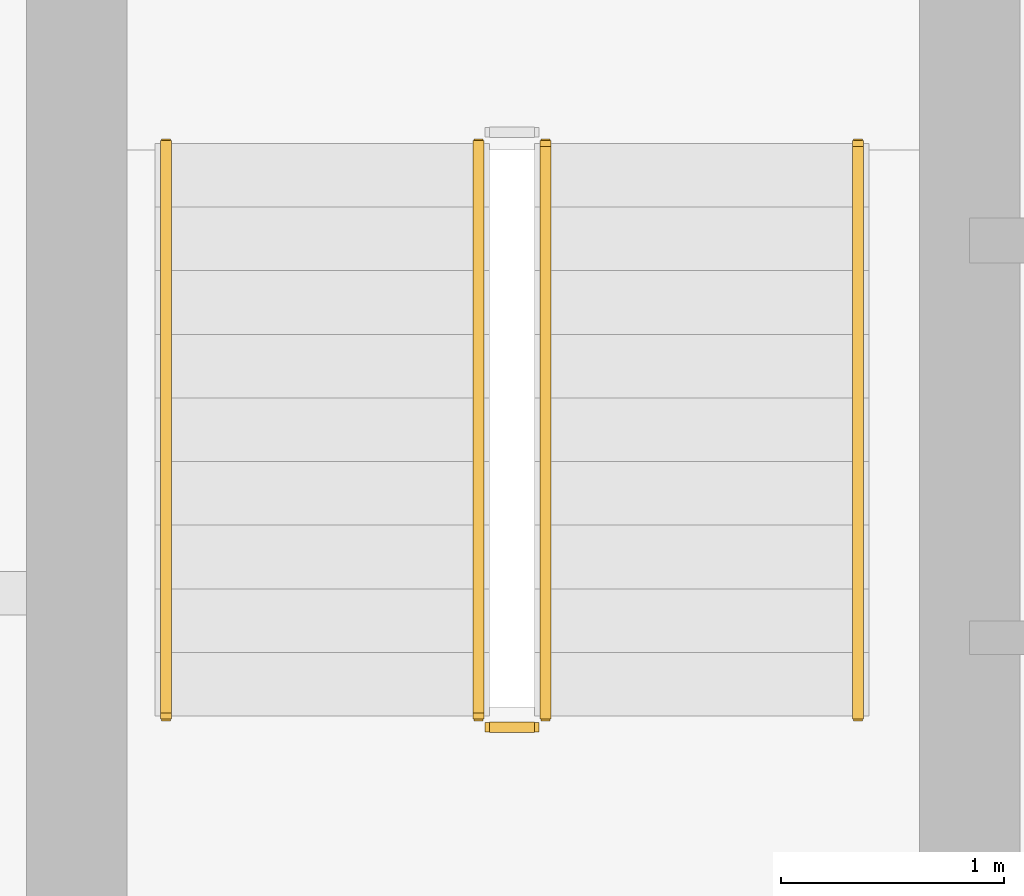
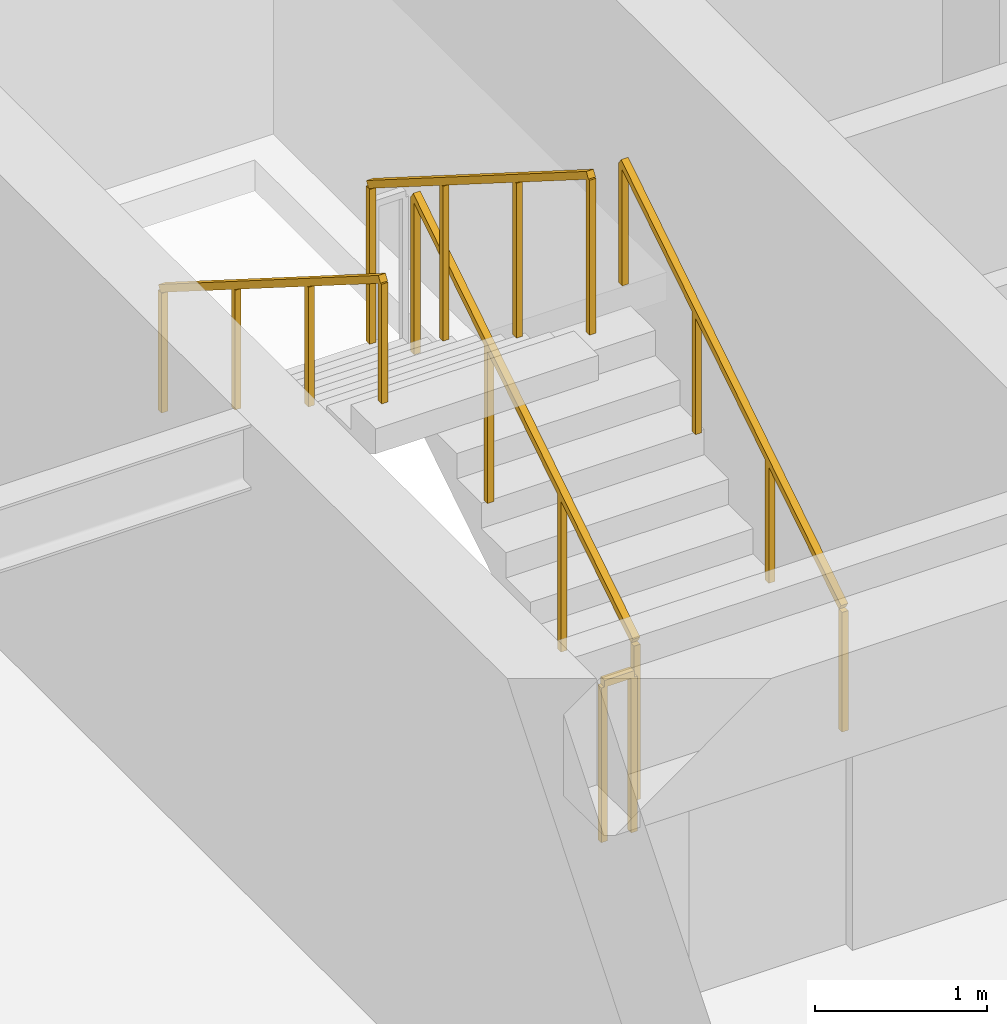
# One storey, part 26 of 28: 5 railings.
"""IFC4 building model written with IfcOpenShell, lengths in metres."""

from ifc_helpers import new_model, si_unit, direction, frame, origin, origin_2d, place, context, subcontext, project, spatial, rectangle, extrude, material, type_object, element, save


model = new_model("IFC4")

# Units and contexts
model_context = context("Model", 3, precision=1e-05, world=origin(), true_north=direction((0.0, 1.0)))
body_context = subcontext(model_context, "Body", "Model", "MODEL_VIEW")
ifc_project = project(units=[si_unit("LENGTHUNIT", "METRE"), si_unit("AREAUNIT", "SQUARE_METRE"), si_unit("VOLUMEUNIT", "CUBIC_METRE"), si_unit("PLANEANGLEUNIT", "RADIAN"), si_unit("MASSUNIT", "GRAM", prefix="KILO")], contexts=[model_context])

# Site, building, storey
site_placement = place(None, origin())
site = spatial("IfcSite", under=ifc_project, at=site_placement, CompositionType="ELEMENT")
building_placement = place(site_placement, origin())
building = spatial("IfcBuilding", under=site, at=building_placement, Name="Sarneth Arch Tower", CompositionType="ELEMENT")
storey_placement = place(building_placement, frame((0.0, 0.0, 172.199951171875)))
storey = spatial("IfcBuildingStorey", under=building, at=storey_placement, Name="L43", CompositionType="ELEMENT", Elevation=172.199951171875)

# Railings
ifc_material_1 = material(Name="Brushed Stainless Steel 304 tubular handrail", Category="steel")
railing_type_1 = type_object("IfcRailingType", Name="RAIL-HANDRAIL-900", PredefinedType="HANDRAIL", material=ifc_material_1)
railing_1_placement = place(storey_placement, frame((40.5, 41.449951171875, 0.179931640625)))
element("IfcRailing", 1, at=railing_1_placement, inside=storey, type_object=railing_type_1, Name="L43 ST-1 stair handrail 1", PredefinedType="HANDRAIL", context=body_context, shape_type="SweptSolid", body=[
    extrude(rectangle(XDim=0.048095703125, YDim=0.048095703125, at=origin_2d()), frame((0.0, 0.0, 0.8759765625), z_axis=(0.0, 0.845465955043, 0.534029323973), x_axis=(-1.0, 0.0, 0.0)), (0.0, 0.0, 1.0), 3.03369140625),
    extrude(rectangle(XDim=0.0419921875, YDim=0.0419921875, at=origin_2d()), origin(), (0.0, 0.0, 1.0), 0.851806640625),
    extrude(rectangle(XDim=0.0419921875, YDim=0.0419921875, at=origin_2d()), frame((0.0, 0.85498046875, 0.5400390625)), (0.0, 0.0, 1.0), 0.851806640625),
    extrude(rectangle(XDim=0.0419921875, YDim=0.0419921875, at=origin_2d()), frame((0.0, 1.7099609375, 1.080078125)), (0.0, 0.0, 1.0), 0.851806640625),
    extrude(rectangle(XDim=0.0419921875, YDim=0.0419921875, at=origin_2d()), frame((0.0, 2.56494140625, 1.6201171875)), (0.0, 0.0, 1.0), 0.851806640625),
])
railing_2_placement = place(storey_placement, frame((37.39990234375, 44.014892578125, 1.97998046875)))
element("IfcRailing", 2, at=railing_2_placement, inside=storey, type_object=railing_type_1, Name="L43 ST-1 stair handrail 2", PredefinedType="HANDRAIL", context=body_context, shape_type="SweptSolid", body=[
    extrude(rectangle(XDim=0.048095703125, YDim=0.048095703125, at=origin_2d()), frame((0.0, 0.0, 0.8759765625), z_axis=(0.0, -0.845465955043, 0.534029323973), x_axis=(1.0, 0.0, 0.0)), (0.0, 0.0, 1.0), 3.03369140625),
    extrude(rectangle(XDim=0.0419921875, YDim=0.0419921875, at=origin_2d()), origin(), (0.0, 0.0, 1.0), 0.851806640625),
    extrude(rectangle(XDim=0.0419921875, YDim=0.0419921875, at=origin_2d()), frame((0.0, -0.85498046875, 0.5400390625)), (0.0, 0.0, 1.0), 0.851806640625),
    extrude(rectangle(XDim=0.0419921875, YDim=0.0419921875, at=origin_2d()), frame((0.0, -1.7099609375, 1.080078125)), (0.0, 0.0, 1.0), 0.851806640625),
    extrude(rectangle(XDim=0.0419921875, YDim=0.0419921875, at=origin_2d()), frame((0.0, -2.56494140625, 1.6201171875)), (0.0, 0.0, 1.0), 0.851806640625),
])
ifc_material_2 = material(Name="Painted Steel S275 stair well guard", Category="steel")
railing_type_2 = type_object("IfcRailingType", Name="RAIL-STAIR-GUARD", PredefinedType="GUARDRAIL", material=ifc_material_2)
railing_3_placement = place(storey_placement, frame((39.10009765625, 41.449951171875, 0.179931640625)))
element("IfcRailing", 3, at=railing_3_placement, inside=storey, type_object=railing_type_2, Name="L43 ST-1 stair guard 1", PredefinedType="GUARDRAIL", context=body_context, shape_type="SweptSolid", body=[
    extrude(rectangle(XDim=0.048095703125, YDim=0.048095703125, at=origin_2d()), frame((0.0, 0.0, 1.1259765625), z_axis=(0.0, 0.845465955043, 0.534029323973), x_axis=(-1.0, 0.0, 0.0)), (0.0, 0.0, 1.0), 3.03369140625),
    extrude(rectangle(XDim=0.0419921875, YDim=0.0419921875, at=origin_2d()), origin(), (0.0, 0.0, 1.0), 1.101806640625),
    extrude(rectangle(XDim=0.0419921875, YDim=0.0419921875, at=origin_2d()), frame((0.0, 0.85498046875, 0.5400390625)), (0.0, 0.0, 1.0), 1.101806640625),
    extrude(rectangle(XDim=0.0419921875, YDim=0.0419921875, at=origin_2d()), frame((0.0, 1.7099609375, 1.080078125)), (0.0, 0.0, 1.0), 1.101806640625),
    extrude(rectangle(XDim=0.0419921875, YDim=0.0419921875, at=origin_2d()), frame((0.0, 2.56494140625, 1.6201171875)), (0.0, 0.0, 1.0), 1.101806640625),
])
railing_4_placement = place(storey_placement, frame((38.800048828125, 44.014892578125, 1.97998046875)))
element("IfcRailing", 4, at=railing_4_placement, inside=storey, type_object=railing_type_2, Name="L43 ST-1 stair guard 3", PredefinedType="GUARDRAIL", context=body_context, shape_type="SweptSolid", body=[
    extrude(rectangle(XDim=0.048095703125, YDim=0.048095703125, at=origin_2d()), frame((0.0, 0.0, 1.1259765625), z_axis=(0.0, -0.845465955043, 0.534029323973), x_axis=(1.0, 0.0, 0.0)), (0.0, 0.0, 1.0), 3.03369140625),
    extrude(rectangle(XDim=0.0419921875, YDim=0.0419921875, at=origin_2d()), origin(), (0.0, 0.0, 1.0), 1.101806640625),
    extrude(rectangle(XDim=0.0419921875, YDim=0.0419921875, at=origin_2d()), frame((0.0, -0.85498046875, 0.5400390625)), (0.0, 0.0, 1.0), 1.101806640625),
    extrude(rectangle(XDim=0.0419921875, YDim=0.0419921875, at=origin_2d()), frame((0.0, -1.7099609375, 1.080078125)), (0.0, 0.0, 1.0), 1.101806640625),
    extrude(rectangle(XDim=0.0419921875, YDim=0.0419921875, at=origin_2d()), frame((0.0, -2.56494140625, 1.6201171875)), (0.0, 0.0, 1.0), 1.101806640625),
])
railing_5_placement = place(storey_placement, frame((39.050048828125, 41.39990234375, 0.0)))
element("IfcRailing", 5, at=railing_5_placement, inside=storey, type_object=railing_type_2, Name="L43 ST-1 stair guard 4", PredefinedType="GUARDRAIL", context=body_context, shape_type="SweptSolid", body=[
    extrude(rectangle(XDim=0.048095703125, YDim=0.048095703125, at=origin_2d()), frame((0.0, 0.0, 1.1259765625), z_axis=(-1.0, 0.0, 0.0), x_axis=(0.0, -1.0, 0.0)), (0.0, 0.0, 1.0), 0.199951171875),
    extrude(rectangle(XDim=0.0419921875, YDim=0.0419921875, at=origin_2d()), origin(), (0.0, 0.0, 1.0), 1.101806640625),
    extrude(rectangle(XDim=0.0419921875, YDim=0.0419921875, at=origin_2d()), frame((-0.199951171875, 0.0, 0.0)), (0.0, 0.0, 1.0), 1.101806640625),
])

save(model, "model.ifc")
